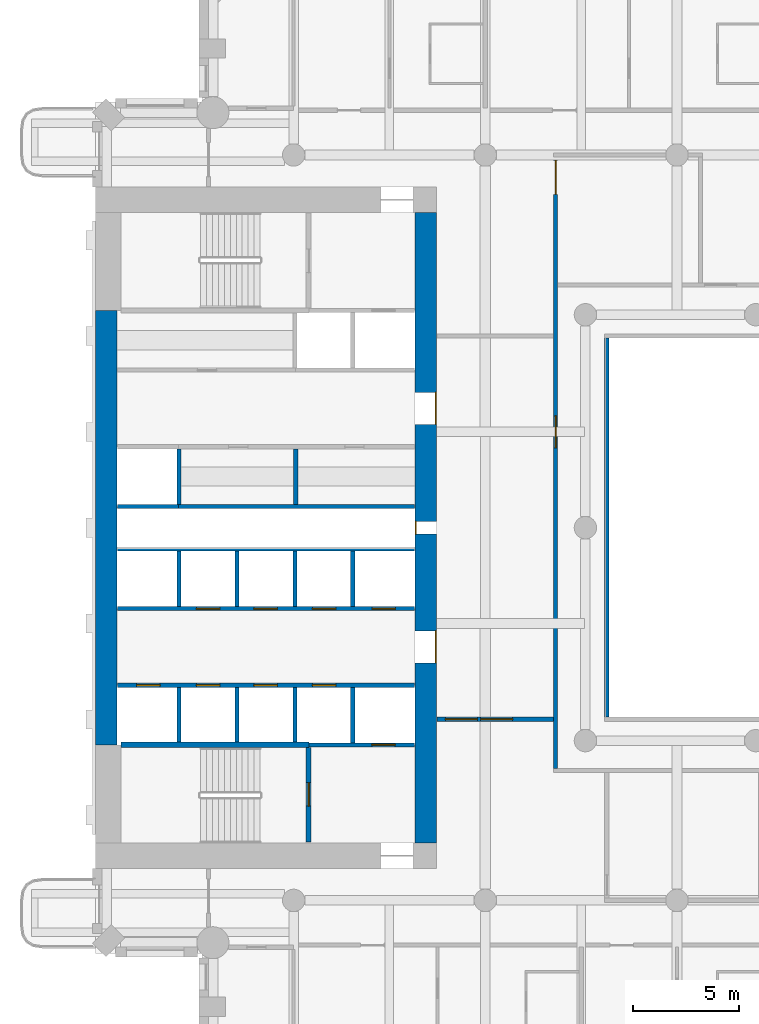
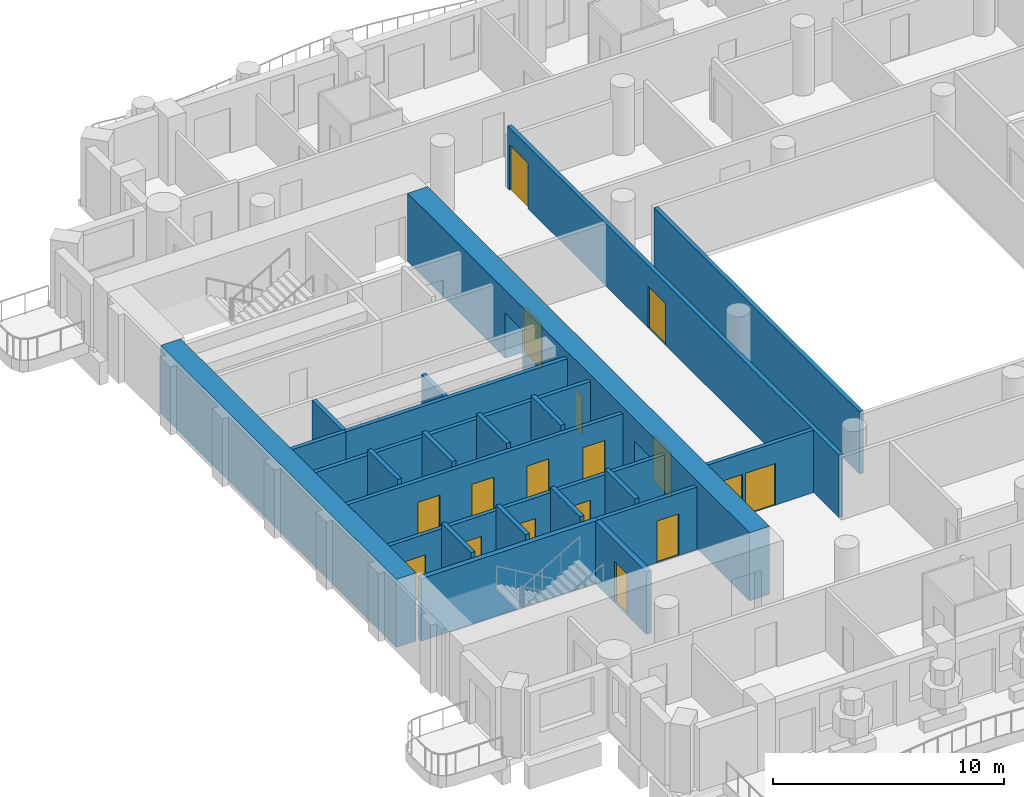
# One storey, part 4 of 19: 23 walls, 17 doors, 17 openings.
"""IFC4 building model written with IfcOpenShell, lengths in metres."""

from ifc_helpers import new_model, si_unit, direction, frame, frame_2d, origin, place, context, subcontext, project, spatial, rectangle, extrude, material, layer, layer_set, type_object, element, fill, save


model = new_model("IFC4")

# Units and contexts
model_context = context("Model", 3, precision=1e-05, world=origin(), true_north=direction((0.0, 1.0)))
body_context = subcontext(model_context, "Body", "Model", "MODEL_VIEW")
ifc_project = project(units=[si_unit("LENGTHUNIT", "METRE"), si_unit("AREAUNIT", "SQUARE_METRE"), si_unit("VOLUMEUNIT", "CUBIC_METRE"), si_unit("PLANEANGLEUNIT", "RADIAN"), si_unit("MASSUNIT", "GRAM", prefix="KILO")], contexts=[model_context])

# Site, building, storey
site_placement = place(None, origin())
site = spatial("IfcSite", under=ifc_project, at=site_placement, CompositionType="ELEMENT")
building_placement = place(site_placement, origin())
building = spatial("IfcBuilding", under=site, at=building_placement, Name="Cypress Arch Tower", CompositionType="ELEMENT")
storey_placement = place(building_placement, frame((0.0, 0.0, 138.300048828125)))
storey = spatial("IfcBuildingStorey", under=building, at=storey_placement, Name="L30", CompositionType="ELEMENT", Elevation=138.300048828125)

# Wall, openings, doors
ifc_material_1 = material(Name="Concrete C80/95", Category="concrete")
ifc_layer_1 = layer(ifc_material_1, 1.0)
ifc_layer_set_1 = layer_set([ifc_layer_1], Name="Core wall CW1000 C80/95")
wall_type_1 = type_object("IfcWallType", Name="Core wall CW1000 C80/95", PredefinedType="SHEAR", material=ifc_layer_set_1)
wall_1_placement = place(storey_placement, frame((-14.5, -14.800048828125, 0.0), z_axis=(0.0, 0.0, 1.0), x_axis=(0.0, 1.0, 0.0)))
wall_1 = element("IfcWall", 1, at=wall_1_placement, inside=storey, type_object=wall_type_1, Name="Core wall", PredefinedType="SHEAR", context=body_context, shape_type="SweptSolid", body=[
    extrude(rectangle(XDim=29.60009765625, YDim=1.0, at=frame_2d((14.800048828125, 0.0))), origin(), (0.0, 0.0, 1.0), 3.599853515625),
])
opening_1_placement = place(wall_1_placement, frame((8.449951171875, 0.0, 0.0)))
opening_1 = element("IfcOpeningElement", 2, at=opening_1_placement, cuts=wall_1, Name="Opening D07", PredefinedType="OPENING", context=body_context, shape_type="SweptSolid", body=[
    extrude(rectangle(XDim=1.5, YDim=2.39990234375, at=frame_2d((0.75, 1.199951171875))), frame((0.0, 0.510009765625, 0.0), z_axis=(0.0, -1.0, 0.0), x_axis=(1.0, 0.0, 0.0)), (0.0, 0.0, 1.0), 1.02001953125),
])
opening_2_placement = place(wall_1_placement, frame((19.64990234375, 0.0, 0.0)))
opening_2 = element("IfcOpeningElement", 3, at=opening_2_placement, cuts=wall_1, Name="Opening D07", PredefinedType="OPENING", context=body_context, shape_type="SweptSolid", body=[
    extrude(rectangle(XDim=1.5, YDim=2.39990234375, at=frame_2d((0.75, 1.199951171875))), frame((0.0, 0.510009765625, 0.0), z_axis=(0.0, -1.0, 0.0), x_axis=(1.0, 0.0, 0.0)), (0.0, 0.0, 1.0), 1.02001953125),
])
opening_3_placement = place(wall_1_placement, frame((14.5, 0.0, 0.0)))
opening_3 = element("IfcOpeningElement", 4, at=opening_3_placement, cuts=wall_1, Name="Opening D08", PredefinedType="OPENING", context=body_context, shape_type="SweptSolid", body=[
    extrude(rectangle(XDim=0.60009765625, YDim=2.0, at=frame_2d((0.300048828125, 1.0))), frame((0.0, 0.510009765625, 0.0), z_axis=(0.0, -1.0, 0.0), x_axis=(1.0, 0.0, 0.0)), (0.0, 0.0, 1.0), 1.02001953125),
])
ifc_material_2 = material(Name="Steel framed glazed door, fire resisting", Category="steel")
door_type_1 = type_object("IfcDoorType", Name="Lobby door D07 1500x2400", OperationType="DOUBLE_DOOR_SINGLE_SWING", PredefinedType="DOOR", material=ifc_material_2)
door_1_placement = place(opening_1_placement, origin())
door_1 = element("IfcDoor", 5, at=door_1_placement, inside=storey, type_object=door_type_1, Name="Lobby door", OperationType="DOUBLE_DOOR_SINGLE_SWING", OverallHeight=2.39990234375, OverallWidth=1.5, PredefinedType="DOOR", context=body_context, shape_type="SweptSolid", body=[
    extrude(rectangle(XDim=1.5, YDim=2.39990234375, at=frame_2d((0.75, 1.199951171875))), frame((0.0, -0.44482421875, 0.0), z_axis=(0.0, -1.0, 0.0), x_axis=(1.0, 0.0, 0.0)), (0.0, 0.0, 1.0), 0.050048828125),
])
fill(opening_1, door_1)
door_2_placement = place(opening_2_placement, origin())
door_2 = element("IfcDoor", 6, at=door_2_placement, inside=storey, type_object=door_type_1, Name="Lobby door", OperationType="DOUBLE_DOOR_SINGLE_SWING", OverallHeight=2.39990234375, OverallWidth=1.5, PredefinedType="DOOR", context=body_context, shape_type="SweptSolid", body=[
    extrude(rectangle(XDim=1.5, YDim=2.39990234375, at=frame_2d((0.75, 1.199951171875))), frame((0.0, -0.44482421875, 0.0), z_axis=(0.0, -1.0, 0.0), x_axis=(1.0, 0.0, 0.0)), (0.0, 0.0, 1.0), 0.050048828125),
])
fill(opening_2, door_2)
ifc_material_3 = material(Name="Steel access door, fire resisting", Category="steel")
door_type_2 = type_object("IfcDoorType", Name="Riser access door D08 600x2000", OperationType="SINGLE_SWING_LEFT", PredefinedType="DOOR", material=ifc_material_3)
door_3_placement = place(opening_3_placement, origin())
door_3 = element("IfcDoor", 7, at=door_3_placement, inside=storey, type_object=door_type_2, Name="Riser access door", OperationType="SINGLE_SWING_RIGHT", OverallHeight=2.0, OverallWidth=0.60009765625, PredefinedType="DOOR", context=body_context, shape_type="SweptSolid", body=[
    extrude(rectangle(XDim=0.60009765625, YDim=2.0, at=frame_2d((0.300048828125, 1.0))), frame((0.0, 0.4951171875, 0.0), z_axis=(0.0, -1.0, 0.0), x_axis=(1.0, 0.0, 0.0)), (0.0, 0.0, 1.0), 0.050048828125),
])
fill(opening_3, door_3)

# Wall
wall_2_placement = place(storey_placement, frame((-29.5, -10.199951171875, 0.0), z_axis=(0.0, 0.0, 1.0), x_axis=(0.0, 1.0, 0.0)))
element("IfcWall", 8, at=wall_2_placement, inside=storey, type_object=wall_type_1, Name="Core wall", PredefinedType="SHEAR", context=body_context, shape_type="SweptSolid", body=[
    extrude(rectangle(XDim=20.39990234375, YDim=1.0, at=frame_2d((10.199951171875, 0.0))), origin(), (0.0, 0.0, 1.0), 3.599853515625),
])

# Wall, openings, doors
ifc_material_4 = material(Name="Concrete blockwork, plastered, rated", Category="masonry")
ifc_layer_2 = layer(ifc_material_4, 0.199951171875)
ifc_layer_set_2 = layer_set([ifc_layer_2], Name="Corridor wall FW200")
wall_type_2 = type_object("IfcWallType", Name="Corridor wall FW200", PredefinedType="PARTITIONING", material=ifc_layer_set_2)
wall_3_placement = place(storey_placement, frame((-13.969970703125, -9.0, 0.0), z_axis=(0.0, 0.0, 1.0), x_axis=(1.0, 0.0, 0.0)))
wall_3 = element("IfcWall", 9, at=wall_3_placement, inside=storey, type_object=wall_type_2, Name="Corridor wall", PredefinedType="PARTITIONING", context=body_context, shape_type="SweptSolid", body=[
    extrude(rectangle(XDim=5.469970703125, YDim=0.199951171875, at=frame_2d((2.73486328125, 0.0))), origin(), (0.0, 0.0, 1.0), 3.300048828125),
])
opening_4_placement = place(wall_3_placement, frame((0.39990234375, 0.0, 0.0)))
opening_4 = element("IfcOpeningElement", 10, at=opening_4_placement, cuts=wall_3, Name="Opening D04", PredefinedType="OPENING", context=body_context, shape_type="SweptSolid", body=[
    extrude(rectangle(XDim=1.5, YDim=2.199951171875, at=frame_2d((0.75, 1.10009765625))), frame((0.0, 0.10986328125, 0.0), z_axis=(0.0, -1.0, 0.0), x_axis=(1.0, 0.0, 0.0)), (0.0, 0.0, 1.0), 0.219970703125),
])
opening_5_placement = place(wall_3_placement, frame((2.050048828125, 0.0, 0.0)))
opening_5 = element("IfcOpeningElement", 11, at=opening_5_placement, cuts=wall_3, Name="Opening D04", PredefinedType="OPENING", context=body_context, shape_type="SweptSolid", body=[
    extrude(rectangle(XDim=1.5, YDim=2.199951171875, at=frame_2d((0.75, 1.10009765625))), frame((0.0, 0.10986328125, 0.0), z_axis=(0.0, -1.0, 0.0), x_axis=(1.0, 0.0, 0.0)), (0.0, 0.0, 1.0), 0.219970703125),
])
ifc_material_5 = material(Name="Timber double door", Category="wood")
door_type_3 = type_object("IfcDoorType", Name="Double door D04 1500x2200", OperationType="DOUBLE_DOOR_SINGLE_SWING", PredefinedType="DOOR", material=ifc_material_5)
door_4_placement = place(opening_4_placement, origin())
door_4 = element("IfcDoor", 12, at=door_4_placement, inside=storey, type_object=door_type_3, Name="Double door", OperationType="DOUBLE_DOOR_SINGLE_SWING", OverallHeight=2.199951171875, OverallWidth=1.5, PredefinedType="DOOR", context=body_context, shape_type="SweptSolid", body=[
    extrude(rectangle(XDim=1.5, YDim=2.199951171875, at=frame_2d((0.75, 1.10009765625))), frame((0.0, 0.02490234375, 0.0), z_axis=(0.0, -1.0, 0.0), x_axis=(1.0, 0.0, 0.0)), (0.0, 0.0, 1.0), 0.050048828125),
])
fill(opening_4, door_4)
door_5_placement = place(opening_5_placement, origin())
door_5 = element("IfcDoor", 13, at=door_5_placement, inside=storey, type_object=door_type_3, Name="Double door", OperationType="DOUBLE_DOOR_SINGLE_SWING", OverallHeight=2.199951171875, OverallWidth=1.5, PredefinedType="DOOR", context=body_context, shape_type="SweptSolid", body=[
    extrude(rectangle(XDim=1.5, YDim=2.199951171875, at=frame_2d((0.75, 1.10009765625))), frame((0.0, 0.02490234375, 0.0), z_axis=(0.0, -1.0, 0.0), x_axis=(1.0, 0.0, 0.0)), (0.0, 0.0, 1.0), 0.050048828125),
])
fill(opening_5, door_5)

wall_4_placement = place(storey_placement, frame((-8.39990234375, -11.300048828125, 0.0), z_axis=(0.0, 0.0, 1.0), x_axis=(0.0, 1.0, 0.0)))
wall_4 = element("IfcWall", 14, at=wall_4_placement, inside=storey, type_object=wall_type_2, Name="Corridor wall", PredefinedType="PARTITIONING", context=body_context, shape_type="SweptSolid", body=[
    extrude(rectangle(XDim=28.699951171875, YDim=0.199951171875, at=frame_2d((14.35009765625, 0.0))), origin(), (0.0, 0.0, 1.0), 3.300048828125),
])
opening_6_placement = place(wall_4_placement, frame((15.050048828125, 0.0, 0.0)))
opening_6 = element("IfcOpeningElement", 15, at=opening_6_placement, cuts=wall_4, Name="Opening D04", PredefinedType="OPENING", context=body_context, shape_type="SweptSolid", body=[
    extrude(rectangle(XDim=1.5, YDim=2.199951171875, at=frame_2d((0.75, 1.10009765625))), frame((0.0, 0.10986328125, 0.0), z_axis=(0.0, -1.0, 0.0), x_axis=(1.0, 0.0, 0.0)), (0.0, 0.0, 1.0), 0.219970703125),
])
opening_7_placement = place(wall_4_placement, frame((26.949951171875, 0.0, 0.0)))
opening_7 = element("IfcOpeningElement", 16, at=opening_7_placement, cuts=wall_4, Name="Opening D10", PredefinedType="OPENING", context=body_context, shape_type="SweptSolid", body=[
    extrude(rectangle(XDim=1.60009765625, YDim=2.39990234375, at=frame_2d((0.800048828125, 1.199951171875))), frame((0.0, 0.10986328125, 0.0), z_axis=(0.0, -1.0, 0.0), x_axis=(1.0, 0.0, 0.0)), (0.0, 0.0, 1.0), 0.219970703125),
])
ifc_material_6 = material(Name="Black aluminium glazed door", Category="aluminium")
door_type_4 = type_object("IfcDoorType", Name="Amenity door D10 1600x2400", OperationType="DOUBLE_DOOR_SINGLE_SWING", PredefinedType="DOOR", material=ifc_material_6)
door_6_placement = place(opening_7_placement, origin())
door_6 = element("IfcDoor", 17, at=door_6_placement, inside=storey, type_object=door_type_4, Name="Amenity door", OperationType="DOUBLE_DOOR_SINGLE_SWING", OverallHeight=2.39990234375, OverallWidth=1.60009765625, PredefinedType="DOOR", context=body_context, shape_type="SweptSolid", body=[
    extrude(rectangle(XDim=1.60009765625, YDim=2.39990234375, at=frame_2d((0.800048828125, 1.199951171875))), frame((0.0, 0.02490234375, 0.0), z_axis=(0.0, -1.0, 0.0), x_axis=(1.0, 0.0, 0.0)), (0.0, 0.0, 1.0), 0.050048828125),
])
fill(opening_7, door_6)
door_7_placement = place(opening_6_placement, origin())
door_7 = element("IfcDoor", 18, at=door_7_placement, inside=storey, type_object=door_type_3, Name="Double door", OperationType="DOUBLE_DOOR_SINGLE_SWING", OverallHeight=2.199951171875, OverallWidth=1.5, PredefinedType="DOOR", context=body_context, shape_type="SweptSolid", body=[
    extrude(rectangle(XDim=1.5, YDim=2.199951171875, at=frame_2d((0.75, 1.10009765625))), frame((0.0, 0.02490234375, 0.0), z_axis=(0.0, -1.0, 0.0), x_axis=(1.0, 0.0, 0.0)), (0.0, 0.0, 1.0), 0.050048828125),
])
fill(opening_6, door_7)

# Walls
wall_5_placement = place(storey_placement, frame((-6.0, -8.89990234375, 0.0), z_axis=(0.0, 0.0, 1.0), x_axis=(0.0, 1.0, 0.0)))
element("IfcWall", 19, at=wall_5_placement, inside=storey, type_object=wall_type_2, Name="Corridor wall", PredefinedType="PARTITIONING", context=body_context, shape_type="SweptSolid", body=[
    extrude(rectangle(XDim=17.7998046875, YDim=0.199951171875, at=frame_2d((8.89990234375, 0.0))), origin(), (0.0, 0.0, 1.0), 3.300048828125),
])
ifc_material_7 = material(Name="Reinforced blockwork, plastered, rated", Category="masonry")
ifc_layer_3 = layer(ifc_material_7, 0.199951171875)
ifc_layer_set_3 = layer_set([ifc_layer_3], Name="Plant and riser wall PL200")
wall_type_3 = type_object("IfcWallType", Name="Plant and riser wall PL200", PredefinedType="PARTITIONING", material=ifc_layer_set_3)
wall_6_placement = place(storey_placement, frame((-26.10009765625, 1.0, 0.0), z_axis=(0.0, 0.0, 1.0), x_axis=(1.0, 0.0, 0.0)))
element("IfcWall", 20, at=wall_6_placement, inside=storey, type_object=wall_type_3, Name="Plant and riser wall", PredefinedType="PARTITIONING", context=body_context, shape_type="SweptSolid", body=[
    extrude(rectangle(XDim=11.070068359375, YDim=0.199951171875, at=frame_2d((5.53515625, 0.0))), origin(), (0.0, 0.0, 1.0), 3.300048828125),
])
wall_7_placement = place(storey_placement, frame((-20.60009765625, 1.10009765625, 0.0), z_axis=(0.0, 0.0, 1.0), x_axis=(0.0, 1.0, 0.0)))
element("IfcWall", 21, at=wall_7_placement, inside=storey, type_object=wall_type_3, Name="Plant and riser wall", PredefinedType="PARTITIONING", context=body_context, shape_type="SweptSolid", body=[
    extrude(rectangle(XDim=2.599853515625, YDim=0.199951171875, at=frame_2d((1.2998046875, 0.0))), origin(), (0.0, 0.0, 1.0), 2.75),
])

# Wall, openings, doors
ifc_material_8 = material(Name="Concrete C50/60", Category="concrete")
ifc_layer_4 = layer(ifc_material_8, 0.199951171875)
ifc_layer_set_4 = layer_set([ifc_layer_4], Name="Shaft wall SH200")
wall_type_4 = type_object("IfcWallType", Name="Shaft wall SH200", PredefinedType="SHEAR", material=ifc_layer_set_4)
wall_8_placement = place(storey_placement, frame((-28.969970703125, -7.39990234375, 0.0), z_axis=(0.0, 0.0, 1.0), x_axis=(1.0, 0.0, 0.0)))
wall_8 = element("IfcWall", 22, at=wall_8_placement, inside=storey, type_object=wall_type_4, Name="Shaft wall", PredefinedType="SHEAR", context=body_context, shape_type="SweptSolid", body=[
    extrude(rectangle(XDim=13.93994140625, YDim=0.199951171875, at=frame_2d((6.969970703125, 0.0))), origin(), (0.0, 0.0, 1.0), 3.300048828125),
])
opening_8_placement = place(wall_8_placement, frame((0.89990234375, 0.0, 0.0)))
opening_8 = element("IfcOpeningElement", 23, at=opening_8_placement, cuts=wall_8, Name="Opening LD-LR1", PredefinedType="OPENING", context=body_context, shape_type="SweptSolid", body=[
    extrude(rectangle(XDim=1.10009765625, YDim=2.199951171875, at=frame_2d((0.550048828125, 1.10009765625))), frame((0.0, 0.10986328125, 0.0), z_axis=(0.0, -1.0, 0.0), x_axis=(1.0, 0.0, 0.0)), (0.0, 0.0, 1.0), 0.219970703125),
])
opening_9_placement = place(wall_8_placement, frame((3.699951171875, 0.0, 0.0)))
opening_9 = element("IfcOpeningElement", 24, at=opening_9_placement, cuts=wall_8, Name="Opening LD-LR2", PredefinedType="OPENING", context=body_context, shape_type="SweptSolid", body=[
    extrude(rectangle(XDim=1.10009765625, YDim=2.199951171875, at=frame_2d((0.550048828125, 1.10009765625))), frame((0.0, 0.10986328125, 0.0), z_axis=(0.0, -1.0, 0.0), x_axis=(1.0, 0.0, 0.0)), (0.0, 0.0, 1.0), 0.219970703125),
])
opening_10_placement = place(wall_8_placement, frame((6.39990234375, 0.0, 0.0)))
opening_10 = element("IfcOpeningElement", 25, at=opening_10_placement, cuts=wall_8, Name="Opening LD-LR3", PredefinedType="OPENING", context=body_context, shape_type="SweptSolid", body=[
    extrude(rectangle(XDim=1.10009765625, YDim=2.199951171875, at=frame_2d((0.550048828125, 1.10009765625))), frame((0.0, 0.10986328125, 0.0), z_axis=(0.0, -1.0, 0.0), x_axis=(1.0, 0.0, 0.0)), (0.0, 0.0, 1.0), 0.219970703125),
])
opening_11_placement = place(wall_8_placement, frame((9.14990234375, 0.0, 0.0)))
opening_11 = element("IfcOpeningElement", 26, at=opening_11_placement, cuts=wall_8, Name="Opening LD-LR4", PredefinedType="OPENING", context=body_context, shape_type="SweptSolid", body=[
    extrude(rectangle(XDim=1.10009765625, YDim=2.199951171875, at=frame_2d((0.550048828125, 1.10009765625))), frame((0.0, 0.10986328125, 0.0), z_axis=(0.0, -1.0, 0.0), x_axis=(1.0, 0.0, 0.0)), (0.0, 0.0, 1.0), 0.219970703125),
])
ifc_material_9 = material(Name="Stainless steel centre-opening landing door, rated", Category="steel")
door_type_5 = type_object("IfcDoorType", Name="Lift landing door LD 1100x2200", OperationType="DOUBLE_DOOR_SLIDING", PredefinedType="DOOR", material=ifc_material_9)
door_8_placement = place(opening_8_placement, origin())
door_8 = element("IfcDoor", 27, at=door_8_placement, inside=storey, type_object=door_type_5, Name="Lift landing doors LR1", OperationType="DOUBLE_DOOR_SLIDING", OverallHeight=2.199951171875, OverallWidth=1.10009765625, PredefinedType="DOOR", context=body_context, shape_type="SweptSolid", body=[
    extrude(rectangle(XDim=1.10009765625, YDim=2.199951171875, at=frame_2d((0.550048828125, 1.10009765625))), frame((0.0, 0.02490234375, 0.0), z_axis=(0.0, -1.0, 0.0), x_axis=(1.0, 0.0, 0.0)), (0.0, 0.0, 1.0), 0.050048828125),
])
fill(opening_8, door_8)
door_9_placement = place(opening_9_placement, origin())
door_9 = element("IfcDoor", 28, at=door_9_placement, inside=storey, type_object=door_type_5, Name="Lift landing doors LR2", OperationType="DOUBLE_DOOR_SLIDING", OverallHeight=2.199951171875, OverallWidth=1.10009765625, PredefinedType="DOOR", context=body_context, shape_type="SweptSolid", body=[
    extrude(rectangle(XDim=1.10009765625, YDim=2.199951171875, at=frame_2d((0.550048828125, 1.10009765625))), frame((0.0, 0.02490234375, 0.0), z_axis=(0.0, -1.0, 0.0), x_axis=(1.0, 0.0, 0.0)), (0.0, 0.0, 1.0), 0.050048828125),
])
fill(opening_9, door_9)
door_10_placement = place(opening_10_placement, origin())
door_10 = element("IfcDoor", 29, at=door_10_placement, inside=storey, type_object=door_type_5, Name="Lift landing doors LR3", OperationType="DOUBLE_DOOR_SLIDING", OverallHeight=2.199951171875, OverallWidth=1.10009765625, PredefinedType="DOOR", context=body_context, shape_type="SweptSolid", body=[
    extrude(rectangle(XDim=1.10009765625, YDim=2.199951171875, at=frame_2d((0.550048828125, 1.10009765625))), frame((0.0, 0.02490234375, 0.0), z_axis=(0.0, -1.0, 0.0), x_axis=(1.0, 0.0, 0.0)), (0.0, 0.0, 1.0), 0.050048828125),
])
fill(opening_10, door_10)
door_11_placement = place(opening_11_placement, origin())
door_11 = element("IfcDoor", 30, at=door_11_placement, inside=storey, type_object=door_type_5, Name="Lift landing doors LR4", OperationType="DOUBLE_DOOR_SLIDING", OverallHeight=2.199951171875, OverallWidth=1.10009765625, PredefinedType="DOOR", context=body_context, shape_type="SweptSolid", body=[
    extrude(rectangle(XDim=1.10009765625, YDim=2.199951171875, at=frame_2d((0.550048828125, 1.10009765625))), frame((0.0, 0.02490234375, 0.0), z_axis=(0.0, -1.0, 0.0), x_axis=(1.0, 0.0, 0.0)), (0.0, 0.0, 1.0), 0.050048828125),
])
fill(opening_11, door_11)

wall_9_placement = place(storey_placement, frame((-28.969970703125, -3.800048828125, 0.0), z_axis=(0.0, 0.0, 1.0), x_axis=(1.0, 0.0, 0.0)))
wall_9 = element("IfcWall", 31, at=wall_9_placement, inside=storey, type_object=wall_type_4, Name="Shaft wall", PredefinedType="SHEAR", context=body_context, shape_type="SweptSolid", body=[
    extrude(rectangle(XDim=13.93994140625, YDim=0.199951171875, at=frame_2d((6.969970703125, 0.0))), origin(), (0.0, 0.0, 1.0), 3.300048828125),
])
opening_12_placement = place(wall_9_placement, frame((3.699951171875, 0.0, 0.0)))
opening_12 = element("IfcOpeningElement", 32, at=opening_12_placement, cuts=wall_9, Name="Opening LD-LR5", PredefinedType="OPENING", context=body_context, shape_type="SweptSolid", body=[
    extrude(rectangle(XDim=1.10009765625, YDim=2.199951171875, at=frame_2d((0.550048828125, 1.10009765625))), frame((0.0, 0.10986328125, 0.0), z_axis=(0.0, -1.0, 0.0), x_axis=(1.0, 0.0, 0.0)), (0.0, 0.0, 1.0), 0.219970703125),
])
opening_13_placement = place(wall_9_placement, frame((6.39990234375, 0.0, 0.0)))
opening_13 = element("IfcOpeningElement", 33, at=opening_13_placement, cuts=wall_9, Name="Opening LD-LR6", PredefinedType="OPENING", context=body_context, shape_type="SweptSolid", body=[
    extrude(rectangle(XDim=1.10009765625, YDim=2.199951171875, at=frame_2d((0.550048828125, 1.10009765625))), frame((0.0, 0.10986328125, 0.0), z_axis=(0.0, -1.0, 0.0), x_axis=(1.0, 0.0, 0.0)), (0.0, 0.0, 1.0), 0.219970703125),
])
opening_14_placement = place(wall_9_placement, frame((9.14990234375, 0.0, 0.0)))
opening_14 = element("IfcOpeningElement", 34, at=opening_14_placement, cuts=wall_9, Name="Opening LD-LR7", PredefinedType="OPENING", context=body_context, shape_type="SweptSolid", body=[
    extrude(rectangle(XDim=1.10009765625, YDim=2.199951171875, at=frame_2d((0.550048828125, 1.10009765625))), frame((0.0, 0.10986328125, 0.0), z_axis=(0.0, -1.0, 0.0), x_axis=(1.0, 0.0, 0.0)), (0.0, 0.0, 1.0), 0.219970703125),
])
opening_15_placement = place(wall_9_placement, frame((11.949951171875, 0.0, 0.0)))
opening_15 = element("IfcOpeningElement", 35, at=opening_15_placement, cuts=wall_9, Name="Opening LD-LR8", PredefinedType="OPENING", context=body_context, shape_type="SweptSolid", body=[
    extrude(rectangle(XDim=1.10009765625, YDim=2.199951171875, at=frame_2d((0.550048828125, 1.10009765625))), frame((0.0, 0.10986328125, 0.0), z_axis=(0.0, -1.0, 0.0), x_axis=(1.0, 0.0, 0.0)), (0.0, 0.0, 1.0), 0.219970703125),
])
door_12_placement = place(opening_12_placement, origin())
door_12 = element("IfcDoor", 36, at=door_12_placement, inside=storey, type_object=door_type_5, Name="Lift landing doors LR5", OperationType="DOUBLE_DOOR_SLIDING", OverallHeight=2.199951171875, OverallWidth=1.10009765625, PredefinedType="DOOR", context=body_context, shape_type="SweptSolid", body=[
    extrude(rectangle(XDim=1.10009765625, YDim=2.199951171875, at=frame_2d((0.550048828125, 1.10009765625))), frame((0.0, 0.02490234375, 0.0), z_axis=(0.0, -1.0, 0.0), x_axis=(1.0, 0.0, 0.0)), (0.0, 0.0, 1.0), 0.050048828125),
])
fill(opening_12, door_12)
door_13_placement = place(opening_13_placement, origin())
door_13 = element("IfcDoor", 37, at=door_13_placement, inside=storey, type_object=door_type_5, Name="Lift landing doors LR6", OperationType="DOUBLE_DOOR_SLIDING", OverallHeight=2.199951171875, OverallWidth=1.10009765625, PredefinedType="DOOR", context=body_context, shape_type="SweptSolid", body=[
    extrude(rectangle(XDim=1.10009765625, YDim=2.199951171875, at=frame_2d((0.550048828125, 1.10009765625))), frame((0.0, 0.02490234375, 0.0), z_axis=(0.0, -1.0, 0.0), x_axis=(1.0, 0.0, 0.0)), (0.0, 0.0, 1.0), 0.050048828125),
])
fill(opening_13, door_13)
door_14_placement = place(opening_14_placement, origin())
door_14 = element("IfcDoor", 38, at=door_14_placement, inside=storey, type_object=door_type_5, Name="Lift landing doors LR7", OperationType="DOUBLE_DOOR_SLIDING", OverallHeight=2.199951171875, OverallWidth=1.10009765625, PredefinedType="DOOR", context=body_context, shape_type="SweptSolid", body=[
    extrude(rectangle(XDim=1.10009765625, YDim=2.199951171875, at=frame_2d((0.550048828125, 1.10009765625))), frame((0.0, 0.02490234375, 0.0), z_axis=(0.0, -1.0, 0.0), x_axis=(1.0, 0.0, 0.0)), (0.0, 0.0, 1.0), 0.050048828125),
])
fill(opening_14, door_14)
door_15_placement = place(opening_15_placement, origin())
door_15 = element("IfcDoor", 39, at=door_15_placement, inside=storey, type_object=door_type_5, Name="Lift landing doors LR8", OperationType="DOUBLE_DOOR_SLIDING", OverallHeight=2.199951171875, OverallWidth=1.10009765625, PredefinedType="DOOR", context=body_context, shape_type="SweptSolid", body=[
    extrude(rectangle(XDim=1.10009765625, YDim=2.199951171875, at=frame_2d((0.550048828125, 1.10009765625))), frame((0.0, 0.02490234375, 0.0), z_axis=(0.0, -1.0, 0.0), x_axis=(1.0, 0.0, 0.0)), (0.0, 0.0, 1.0), 0.050048828125),
])
fill(opening_15, door_15)

# Walls
wall_10_placement = place(storey_placement, frame((-28.969970703125, -1.0, 0.0), z_axis=(0.0, 0.0, 1.0), x_axis=(1.0, 0.0, 0.0)))
element("IfcWall", 40, at=wall_10_placement, inside=storey, type_object=wall_type_4, Name="Shaft wall", PredefinedType="SHEAR", context=body_context, shape_type="SweptSolid", body=[
    extrude(rectangle(XDim=13.93994140625, YDim=0.199951171875, at=frame_2d((6.969970703125, 0.0))), origin(), (0.0, 0.0, 1.0), 3.300048828125),
])
wall_11_placement = place(storey_placement, frame((-28.969970703125, 1.0, 0.0), z_axis=(0.0, 0.0, 1.0), x_axis=(1.0, 0.0, 0.0)))
element("IfcWall", 41, at=wall_11_placement, inside=storey, type_object=wall_type_4, Name="Shaft wall", PredefinedType="SHEAR", context=body_context, shape_type="SweptSolid", body=[
    extrude(rectangle(XDim=2.869873046875, YDim=0.199951171875, at=frame_2d((1.43505859375, 0.0))), origin(), (0.0, 0.0, 1.0), 3.300048828125),
])
wall_12_placement = place(storey_placement, frame((-26.080078125, -10.074951171875, 0.0), z_axis=(0.0, 0.0, 1.0), x_axis=(0.0, 1.0, 0.0)))
element("IfcWall", 42, at=wall_12_placement, inside=storey, type_object=wall_type_4, Name="Shaft wall", PredefinedType="SHEAR", context=body_context, shape_type="SweptSolid", body=[
    extrude(rectangle(XDim=2.574951171875, YDim=0.199951171875, at=frame_2d((1.28759765625, 0.0))), origin(), (0.0, 0.0, 1.0), 3.599853515625),
])
wall_13_placement = place(storey_placement, frame((-26.080078125, -3.699951171875, 0.0), z_axis=(0.0, 0.0, 1.0), x_axis=(0.0, 1.0, 0.0)))
element("IfcWall", 43, at=wall_13_placement, inside=storey, type_object=wall_type_4, Name="Shaft wall", PredefinedType="SHEAR", context=body_context, shape_type="SweptSolid", body=[
    extrude(rectangle(XDim=2.599853515625, YDim=0.199951171875, at=frame_2d((1.2998046875, 0.0))), origin(), (0.0, 0.0, 1.0), 3.599853515625),
])
wall_14_placement = place(storey_placement, frame((-26.080078125, 1.10009765625, 0.0), z_axis=(0.0, 0.0, 1.0), x_axis=(0.0, 1.0, 0.0)))
element("IfcWall", 44, at=wall_14_placement, inside=storey, type_object=wall_type_4, Name="Shaft wall", PredefinedType="SHEAR", context=body_context, shape_type="SweptSolid", body=[
    extrude(rectangle(XDim=2.599853515625, YDim=0.199951171875, at=frame_2d((1.2998046875, 0.0))), origin(), (0.0, 0.0, 1.0), 3.300048828125),
])
wall_15_placement = place(storey_placement, frame((-23.360107421875, -10.074951171875, 0.0), z_axis=(0.0, 0.0, 1.0), x_axis=(0.0, 1.0, 0.0)))
element("IfcWall", 45, at=wall_15_placement, inside=storey, type_object=wall_type_4, Name="Shaft wall", PredefinedType="SHEAR", context=body_context, shape_type="SweptSolid", body=[
    extrude(rectangle(XDim=2.574951171875, YDim=0.199951171875, at=frame_2d((1.28759765625, 0.0))), origin(), (0.0, 0.0, 1.0), 3.599853515625),
])
wall_16_placement = place(storey_placement, frame((-23.360107421875, -3.699951171875, 0.0), z_axis=(0.0, 0.0, 1.0), x_axis=(0.0, 1.0, 0.0)))
element("IfcWall", 46, at=wall_16_placement, inside=storey, type_object=wall_type_4, Name="Shaft wall", PredefinedType="SHEAR", context=body_context, shape_type="SweptSolid", body=[
    extrude(rectangle(XDim=2.599853515625, YDim=0.199951171875, at=frame_2d((1.2998046875, 0.0))), origin(), (0.0, 0.0, 1.0), 3.599853515625),
])
wall_17_placement = place(storey_placement, frame((-20.639892578125, -10.074951171875, 0.0), z_axis=(0.0, 0.0, 1.0), x_axis=(0.0, 1.0, 0.0)))
element("IfcWall", 47, at=wall_17_placement, inside=storey, type_object=wall_type_4, Name="Shaft wall", PredefinedType="SHEAR", context=body_context, shape_type="SweptSolid", body=[
    extrude(rectangle(XDim=2.574951171875, YDim=0.199951171875, at=frame_2d((1.28759765625, 0.0))), origin(), (0.0, 0.0, 1.0), 3.599853515625),
])
wall_18_placement = place(storey_placement, frame((-20.639892578125, -3.699951171875, 0.0), z_axis=(0.0, 0.0, 1.0), x_axis=(0.0, 1.0, 0.0)))
element("IfcWall", 48, at=wall_18_placement, inside=storey, type_object=wall_type_4, Name="Shaft wall", PredefinedType="SHEAR", context=body_context, shape_type="SweptSolid", body=[
    extrude(rectangle(XDim=2.599853515625, YDim=0.199951171875, at=frame_2d((1.2998046875, 0.0))), origin(), (0.0, 0.0, 1.0), 3.599853515625),
])

# Wall, opening, door
wall_19_placement = place(storey_placement, frame((-19.97998046875, -10.199951171875, 0.0), z_axis=(0.0, 0.0, 1.0), x_axis=(1.0, 0.0, 0.0)))
wall_19 = element("IfcWall", 49, at=wall_19_placement, inside=storey, type_object=wall_type_4, Name="Shaft wall", PredefinedType="SHEAR", context=body_context, shape_type="SweptSolid", body=[
    extrude(rectangle(XDim=4.949951171875, YDim=0.199951171875, at=frame_2d((2.47509765625, 0.0))), origin(), (0.0, 0.0, 1.0), 3.300048828125),
])
opening_16_placement = place(wall_19_placement, frame((2.949951171875, 0.0, 0.0)))
opening_16 = element("IfcOpeningElement", 50, at=opening_16_placement, cuts=wall_19, Name="Opening LD-FL1", PredefinedType="OPENING", context=body_context, shape_type="SweptSolid", body=[
    extrude(rectangle(XDim=1.10009765625, YDim=2.199951171875, at=frame_2d((0.550048828125, 1.10009765625))), frame((0.0, 0.10986328125, 0.0), z_axis=(0.0, -1.0, 0.0), x_axis=(1.0, 0.0, 0.0)), (0.0, 0.0, 1.0), 0.219970703125),
])
door_16_placement = place(opening_16_placement, origin())
door_16 = element("IfcDoor", 51, at=door_16_placement, inside=storey, type_object=door_type_5, Name="Lift landing doors FL1", OperationType="DOUBLE_DOOR_SLIDING", OverallHeight=2.199951171875, OverallWidth=1.10009765625, PredefinedType="DOOR", context=body_context, shape_type="SweptSolid", body=[
    extrude(rectangle(XDim=1.10009765625, YDim=2.199951171875, at=frame_2d((0.550048828125, 1.10009765625))), frame((0.0, 0.02490234375, 0.0), z_axis=(0.0, -1.0, 0.0), x_axis=(1.0, 0.0, 0.0)), (0.0, 0.0, 1.0), 0.050048828125),
])
fill(opening_16, door_16)

# Walls
wall_20_placement = place(storey_placement, frame((-17.919921875, -10.10009765625, 0.0), z_axis=(0.0, 0.0, 1.0), x_axis=(0.0, 1.0, 0.0)))
element("IfcWall", 52, at=wall_20_placement, inside=storey, type_object=wall_type_4, Name="Shaft wall", PredefinedType="SHEAR", context=body_context, shape_type="SweptSolid", body=[
    extrude(rectangle(XDim=2.60009765625, YDim=0.199951171875, at=frame_2d((1.300048828125, 0.0))), origin(), (0.0, 0.0, 1.0), 3.599853515625),
])
wall_21_placement = place(storey_placement, frame((-17.919921875, -3.699951171875, 0.0), z_axis=(0.0, 0.0, 1.0), x_axis=(0.0, 1.0, 0.0)))
element("IfcWall", 53, at=wall_21_placement, inside=storey, type_object=wall_type_4, Name="Shaft wall", PredefinedType="SHEAR", context=body_context, shape_type="SweptSolid", body=[
    extrude(rectangle(XDim=2.599853515625, YDim=0.199951171875, at=frame_2d((1.2998046875, 0.0))), origin(), (0.0, 0.0, 1.0), 3.599853515625),
])
ifc_material_10 = material(Name="Concrete C50/60", Category="concrete")
ifc_layer_5 = layer(ifc_material_10, 0.25)
ifc_layer_set_5 = layer_set([ifc_layer_5], Name="Stair enclosure wall SW250")
wall_type_5 = type_object("IfcWallType", Name="Stair enclosure wall SW250", PredefinedType="SHEAR", material=ifc_layer_set_5)
wall_22_placement = place(storey_placement, frame((-28.81005859375, -10.199951171875, 0.0), z_axis=(0.0, 0.0, 1.0), x_axis=(1.0, 0.0, 0.0)))
element("IfcWall", 54, at=wall_22_placement, inside=storey, type_object=wall_type_5, Name="Stair enclosure wall", PredefinedType="SHEAR", context=body_context, shape_type="SweptSolid", body=[
    extrude(rectangle(XDim=8.830078125, YDim=0.25, at=frame_2d((4.4150390625, 0.0))), origin(), (0.0, 0.0, 1.0), 3.300048828125),
])

# Wall, opening, door
wall_23_placement = place(storey_placement, frame((-20.0, -14.77001953125, 0.0), z_axis=(0.0, 0.0, 1.0), x_axis=(0.0, 1.0, 0.0)))
wall_23 = element("IfcWall", 55, at=wall_23_placement, inside=storey, type_object=wall_type_5, Name="Stair enclosure wall", PredefinedType="SHEAR", context=body_context, shape_type="SweptSolid", body=[
    extrude(rectangle(XDim=4.445068359375, YDim=0.25, at=frame_2d((2.22265625, 0.0))), origin(), (0.0, 0.0, 1.0), 3.300048828125),
])
opening_17_placement = place(wall_23_placement, frame((1.699951171875, 0.0, 0.0)))
opening_17 = element("IfcOpeningElement", 56, at=opening_17_placement, cuts=wall_23, Name="Opening D06", PredefinedType="OPENING", context=body_context, shape_type="SweptSolid", body=[
    extrude(rectangle(XDim=1.10009765625, YDim=2.199951171875, at=frame_2d((0.550048828125, 1.10009765625))), frame((0.0, 0.135009765625, 0.0), z_axis=(0.0, -1.0, 0.0), x_axis=(1.0, 0.0, 0.0)), (0.0, 0.0, 1.0), 0.27001953125),
])
ifc_material_11 = material(Name="Steel door, fire resisting, panic bar", Category="steel")
door_type_6 = type_object("IfcDoorType", Name="Stair door D06 1100x2200", OperationType="SINGLE_SWING_LEFT", PredefinedType="DOOR", material=ifc_material_11)
door_17_placement = place(opening_17_placement, origin())
door_17 = element("IfcDoor", 57, at=door_17_placement, inside=storey, type_object=door_type_6, Name="Stair door", OperationType="SINGLE_SWING_RIGHT", OverallHeight=2.199951171875, OverallWidth=1.10009765625, PredefinedType="DOOR", context=body_context, shape_type="SweptSolid", body=[
    extrude(rectangle(XDim=1.10009765625, YDim=2.199951171875, at=frame_2d((0.550048828125, 1.10009765625))), frame((0.0, 0.02490234375, 0.0), z_axis=(0.0, -1.0, 0.0), x_axis=(1.0, 0.0, 0.0)), (0.0, 0.0, 1.0), 0.050048828125),
])
fill(opening_17, door_17)

save(model, "model.ifc")
